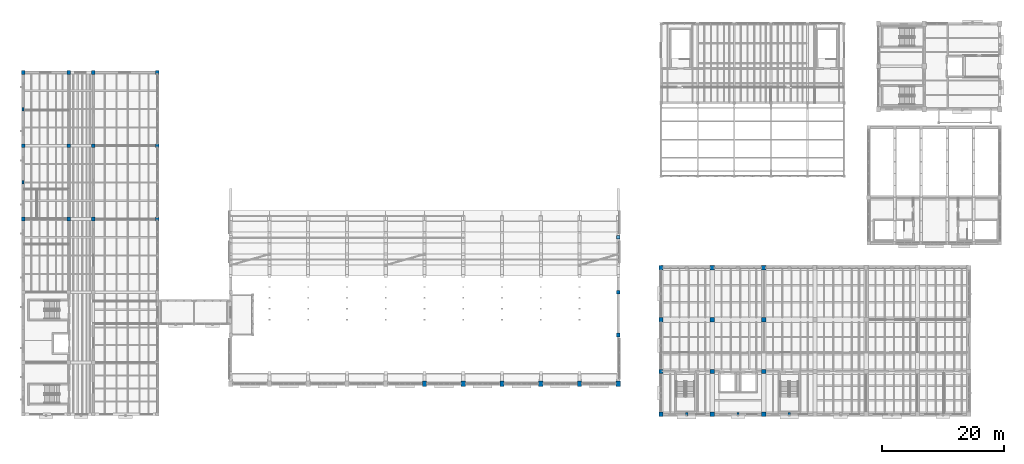
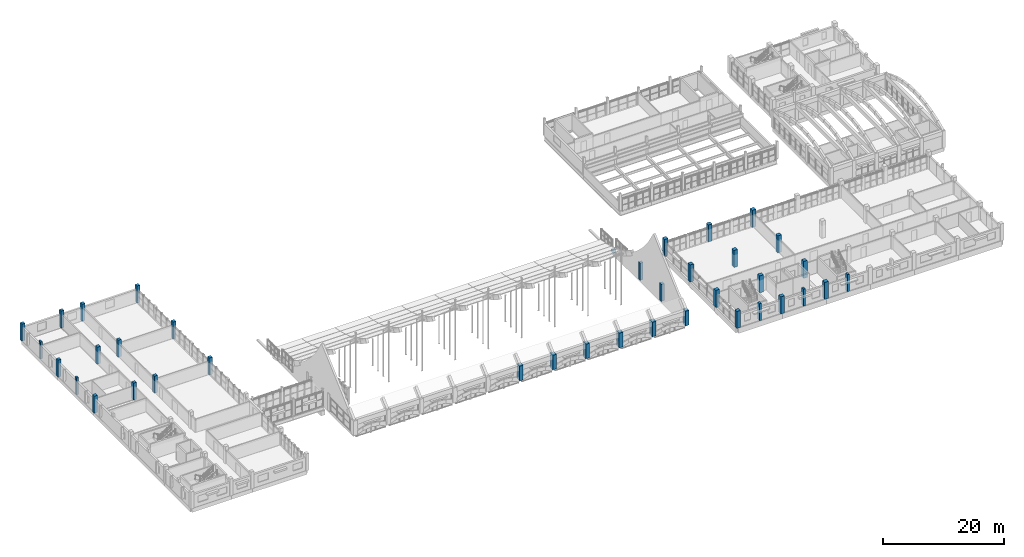
# One storey, part 4 of 77: 38 columns.
"""IFC4 building model written with IfcOpenShell, lengths in metres."""

import ifcopenshell
import ifcopenshell.guid

model = None  # the IFC model being written
_history = None  # IfcOwnerHistory: only IFC2X3 demands one
_inside = {}  # id of a spatial element -> (the spatial element, [elements in it])
_under = {}  # id of a project, library or spatial element -> (it, [spatial elements below it])
_declared = {}  # id of a project -> (the project, [libraries it declares])
_typed = {}  # id of a type object -> (the type object, [elements of that type])
_made_of = {}  # id of a material, layer set ... -> (it, [elements and type objects made of it])


def new_model(schema):
    """Start an empty IFC model of exactly this schema.

    Asked for "IFC4X3", IfcOpenShell would pick the latest addendum, in which some entities
    have other attributes; the version numbers below select the first issue.
    IFC2X3 requires an IfcOwnerHistory on every rooted entity: one is made here for all.
    """
    global model, _history
    if schema == "IFC4X3":
        model = ifcopenshell.file(schema_version=(4, 3, 0, 0))
    else:
        model = ifcopenshell.file(schema=schema)
    _inside.clear()
    _under.clear()
    _declared.clear()
    _typed.clear()
    _made_of.clear()
    _history = None
    if model.schema == "IFC2X3":
        org = make("IfcOrganization", Name="unknown")
        user = make(
            "IfcPersonAndOrganization",
            ThePerson=make("IfcPerson", FamilyName="unknown"),
            TheOrganization=org,
        )
        app = make(
            "IfcApplication",
            ApplicationDeveloper=org,
            Version="unknown",
            ApplicationFullName="unknown",
            ApplicationIdentifier="unknown",
        )
        _history = make(
            "IfcOwnerHistory",
            OwningUser=user,
            OwningApplication=app,
            ChangeAction="ADDED",
            CreationDate=0,
        )
    return model


def make(cls, **values):
    """One entity of the class cls with the attributes given. An attribute that is None is left unset."""
    return model.create_entity(
        cls, **{name: value for name, value in values.items() if value is not None}
    )


def rooted(cls, **values):
    """An entity with a GlobalId (a new one), such as an element, a storey or a relation."""
    return make(cls, GlobalId=ifcopenshell.guid.new(), OwnerHistory=_history, **values)


def si_unit(unit_type, name, prefix=None):
    """IfcSIUnit, for example si_unit("LENGTHUNIT", "METRE", prefix="MILLI")."""
    return make("IfcSIUnit", UnitType=unit_type, Prefix=prefix, Name=name)


def assignment(units):
    """IfcUnitAssignment: the units of a project."""
    return None if units is None else make("IfcUnitAssignment", Units=units)


def point(xyz):
    """IfcCartesianPoint."""
    return None if xyz is None else make("IfcCartesianPoint", Coordinates=xyz)


def direction(xyz):
    """IfcDirection."""
    return None if xyz is None else make("IfcDirection", DirectionRatios=xyz)


def frame(location, z_axis=None, x_axis=None):
    """IfcAxis2Placement3D, a coordinate frame: its origin and axes. An axis left out is left unset."""
    return make(
        "IfcAxis2Placement3D",
        Location=point(location),
        Axis=direction(z_axis),
        RefDirection=direction(x_axis),
    )


def frame_2d(location, x_axis=None):
    """IfcAxis2Placement2D, a coordinate frame in the plane: its origin and x axis."""
    return make(
        "IfcAxis2Placement2D", Location=point(location), RefDirection=direction(x_axis)
    )


def origin():
    """The frame at (0, 0, 0) with its axes left unset."""
    return frame((0.0, 0.0, 0.0))


def origin_2d():
    """The frame at (0, 0) in the plane with its x axis left unset."""
    return frame_2d((0.0, 0.0))


def place(relative_to, where):
    """IfcLocalPlacement: puts the frame where relative to a parent placement (None: the world)."""
    return make(
        "IfcLocalPlacement", PlacementRelTo=relative_to, RelativePlacement=where
    )


def context(
    kind, dimensions, precision=None, world=None, true_north=None, identifier=None
):
    """IfcGeometricRepresentationContext, for example the 3D "Model" context."""
    return make(
        "IfcGeometricRepresentationContext",
        ContextIdentifier=identifier,
        ContextType=kind,
        CoordinateSpaceDimension=dimensions,
        Precision=precision,
        WorldCoordinateSystem=world,
        TrueNorth=true_north,
    )


def subcontext(parent, identifier, kind, view, scale=None):
    """IfcGeometricRepresentationSubContext, for example "Body" below "Model"."""
    return make(
        "IfcGeometricRepresentationSubContext",
        ContextIdentifier=identifier,
        ContextType=kind,
        ParentContext=parent,
        TargetScale=scale,
        TargetView=view,
    )


def project(units=None, contexts=None):
    """IfcProject with its units and contexts."""
    return rooted(
        "IfcProject",
        Name="project",
        RepresentationContexts=contexts,
        UnitsInContext=assignment(units),
    )


def spatial(cls, under=None, at=None, **own):
    """A site, building, storey or space (cls), placed at a placement, below another one or the project."""
    s = rooted(cls, ObjectPlacement=at, **own)
    if under is not None:
        _under.setdefault(under.id(), (under, []))[1].append(s)
    return s


def profile(cls, at=None, kind="AREA", **sizes):
    """A parametric profile (cls). Its sizes go by their IFC names, for example OverallWidth=200.0."""
    return make(cls, ProfileType=kind, Position=at, **sizes)


def rectangle(**sizes):
    """IfcRectangleProfileDef."""
    return profile("IfcRectangleProfileDef", **sizes)


def extrude(swept, where, along, depth):
    """IfcExtrudedAreaSolid: the profile swept, set in the frame where, extruded along a direction by depth."""
    return make(
        "IfcExtrudedAreaSolid",
        SweptArea=swept,
        Position=where,
        ExtrudedDirection=direction(along),
        Depth=depth,
    )


def shape(context_of_items, identifier, shape_type, items):
    """IfcShapeRepresentation: the items that make up one representation, for example the "Body"."""
    return make(
        "IfcShapeRepresentation",
        ContextOfItems=context_of_items,
        RepresentationIdentifier=identifier,
        RepresentationType=shape_type,
        Items=items,
    )


def material(Name=None, Category=None):
    """IfcMaterial."""
    return make("IfcMaterial", Name=Name, Category=Category)


def material_profile(
    of_material, cross_section, Name=None, Category=None, Priority=None
):
    """IfcMaterialProfile: a cross section and its material."""
    return make(
        "IfcMaterialProfile",
        Name=Name,
        Material=of_material,
        Profile=cross_section,
        Priority=Priority,
        Category=Category,
    )


def profile_set(profiles, Name=None, composite=None):
    """IfcMaterialProfileSet."""
    return make(
        "IfcMaterialProfileSet",
        Name=Name,
        MaterialProfiles=profiles,
        CompositeProfile=composite,
    )


def made_of(thing, what):
    """Note that an element or type object is made of a material, layer set ...; save() writes the relation."""
    if what is not None:
        _made_of.setdefault(what.id(), (what, []))[1].append(thing)
    return thing


def type_object(cls, material=None, **own):
    """A type object (cls), such as IfcWallType, which elements share."""
    return made_of(rooted(cls, **own), material)


def element(
    cls,
    number,
    at=None,
    inside=None,
    cuts=None,
    type_object=None,
    material=None,
    context=None,
    identifier="Body",
    shape_type=None,
    held_by="IfcProductDefinitionShape",
    body=None,
    shapes=None,
    **own,
):
    """One element of the class cls, such as IfcWall. Its Tag is "e" and its number.

    at: its placement. inside: the storey or other place that contains it. cuts: it is an
    opening in that element (IfcRelVoidsElement). A single representation is given by context,
    identifier, shape_type and body (its items); several are given by shapes. held_by: the class
    of the entity that holds the representations. save() writes the other relations.
    """
    e = rooted(cls, Tag="e%d" % number, ObjectPlacement=at, **own)
    if body is not None:
        shapes = [shape(context, identifier, shape_type, body)]
    if shapes is not None:
        e.Representation = make(held_by, Representations=shapes)
    if inside is not None:
        _inside.setdefault(inside.id(), (inside, []))[1].append(e)
    if cuts is not None:
        rooted(
            "IfcRelVoidsElement", RelatingBuildingElement=cuts, RelatedOpeningElement=e
        )
    if type_object is not None:
        _typed.setdefault(type_object.id(), (type_object, []))[1].append(e)
    return made_of(e, material)


def aggregate(whole, parts):
    """IfcRelAggregates: a whole, such as a stair, and the parts it consists of."""
    return rooted("IfcRelAggregates", RelatingObject=whole, RelatedObjects=parts)


def save(model, path):
    """Write the relations noted so far, then the file.

    IfcRelAggregates (storeys below a building ...), IfcRelContainedInSpatialStructure (elements
    in a storey), IfcRelDefinesByType, IfcRelAssociatesMaterial and IfcRelDeclares: one each for
    every whole, place, type object, material and project.
    """
    for whole, parts in _under.values():
        aggregate(whole, parts)
    for where, things in _inside.values():
        rooted(
            "IfcRelContainedInSpatialStructure",
            RelatedElements=things,
            RelatingStructure=where,
        )
    for kind, things in _typed.values():
        rooted("IfcRelDefinesByType", RelatedObjects=things, RelatingType=kind)
    for what, things in _made_of.values():
        rooted("IfcRelAssociatesMaterial", RelatedObjects=things, RelatingMaterial=what)
    for by, libraries in _declared.values():
        rooted("IfcRelDeclares", RelatingContext=by, RelatedDefinitions=libraries)
    model.write(path)


model = new_model("IFC4")

# Units and contexts
model_context = context("Model", 3, precision=1e-05, world=origin(), true_north=direction((0.0, 1.0)))
body_context = subcontext(model_context, "Body", "Model", "MODEL_VIEW")
ifc_project = project(units=[si_unit("LENGTHUNIT", "METRE"), si_unit("AREAUNIT", "SQUARE_METRE"), si_unit("VOLUMEUNIT", "CUBIC_METRE"), si_unit("PLANEANGLEUNIT", "RADIAN"), si_unit("MASSUNIT", "GRAM", prefix="KILO")], contexts=[model_context])

# Site, building, storey
site_placement = place(None, origin())
site = spatial("IfcSite", under=ifc_project, at=site_placement, CompositionType="ELEMENT")
building_placement = place(site_placement, origin())
building = spatial("IfcBuilding", under=site, at=building_placement, Name="Trellovar Central Fire Station", CompositionType="ELEMENT")
storey_placement = place(building_placement, frame((0.0, 0.0, 5.85009765625)))
storey = spatial("IfcBuildingStorey", under=building, at=storey_placement, Name="L02", CompositionType="ELEMENT", Elevation=5.85009765625)

# Columns
ifc_material_1 = material(Name="Concrete C40/50", Category="concrete")
ifc_material_profile_1 = material_profile(ifc_material_1, rectangle(XDim=0.699951171875, YDim=0.89990234375, at=origin_2d()), Name="RC700X900")
ifc_profile_set_1 = profile_set([ifc_material_profile_1], Name="Concrete C40/50")
column_type_1 = type_object("IfcColumnType", Name="COL-C3", PredefinedType="COLUMN", material=ifc_profile_set_1)
for number, where, z_axis, x_axis, name in (
    (1, (66.75, 14.0, 0.0), (0.0, 0.0, 1.0), (1.0, 0.0, 0.0), "V1 south vault pier upper X=66.75"),
    (2, (73.10009765625, 14.0, 0.0), (0.0, 0.0, 1.0), (1.0, 0.0, 0.0), "V1 south vault pier upper X=73.10"),
    (3, (79.449951171875, 14.0, 0.0), (0.0, 0.0, 1.0), (1.0, 0.0, 0.0), "V1 south vault pier upper X=79.45"),
    (4, (85.800048828125, 14.0, 0.0), (0.0, 0.0, 1.0), (1.0, 0.0, 0.0), "V1 south vault pier upper X=85.80"),
    (5, (92.14990234375, 14.0, 0.0), (0.0, 0.0, 1.0), (1.0, 0.0, 0.0), "V1 south vault pier upper X=92.15"),
    (6, (98.5, 14.0, 0.0), (0.0, 0.0, 1.0), (1.0, 0.0, 0.0), "V1 south vault pier upper X=98.50"),
):
    element("IfcColumn", number, at=place(storey_placement, frame(where, z_axis=z_axis, x_axis=x_axis)), inside=storey, type_object=column_type_1, Name=name, PredefinedType="COLUMN", context=body_context, shape_type="SweptSolid", body=[
        extrude(rectangle(XDim=0.699951171875, YDim=0.89990234375, at=origin_2d()), origin(), (0.0, 0.0, 1.0), 2.949951171875),
    ])
ifc_material_2 = material(Name="Concrete C40/50", Category="concrete")
ifc_material_profile_2 = material_profile(ifc_material_2, rectangle(XDim=0.699951171875, YDim=0.699951171875, at=origin_2d()), Name="RC700X700")
ifc_profile_set_2 = profile_set([ifc_material_profile_2], Name="Concrete C40/50")
column_type_2 = type_object("IfcColumnType", Name="COL-C4", PredefinedType="COLUMN", material=ifc_profile_set_2)
for number, where, z_axis, x_axis, name in (
    (7, (105.5, 9.0, 0.0), (0.0, 0.0, 1.0), (1.0, 0.0, 0.0), "L02 column C-4"),
    (8, (105.5, 16.0, 0.0), (0.0, 0.0, 1.0), (1.0, 0.0, 0.0), "L02 column C-4"),
    (9, (105.5, 24.5, 0.0), (0.0, 0.0, 1.0), (1.0, 0.0, 0.0), "L02 column C-4"),
    (10, (105.5, 33.0, 0.0), (0.0, 0.0, 1.0), (1.0, 0.0, 0.0), "L02 column C-4"),
    (11, (113.89990234375, 9.0, 0.0), (0.0, 0.0, 1.0), (1.0, 0.0, 0.0), "L02 column C-4"),
    (12, (113.89990234375, 16.0, 0.0), (0.0, 0.0, 1.0), (1.0, 0.0, 0.0), "L02 column C-4"),
    (13, (113.89990234375, 24.5, 0.0), (0.0, 0.0, 1.0), (1.0, 0.0, 0.0), "L02 column C-4"),
    (14, (113.89990234375, 33.0, 0.0), (0.0, 0.0, 1.0), (1.0, 0.0, 0.0), "L02 column C-4"),
    (15, (122.300048828125, 9.0, 0.0), (0.0, 0.0, 1.0), (1.0, 0.0, 0.0), "L02 column C-4"),
    (16, (122.300048828125, 16.0, 0.0), (0.0, 0.0, 1.0), (1.0, 0.0, 0.0), "L02 column C-4"),
    (17, (122.300048828125, 24.5, 0.0), (0.0, 0.0, 1.0), (1.0, 0.0, 0.0), "L02 column C-4"),
    (18, (122.300048828125, 33.0, 0.0), (0.0, 0.0, 1.0), (1.0, 0.0, 0.0), "L02 column C-4"),
):
    element("IfcColumn", number, at=place(storey_placement, frame(where, z_axis=z_axis, x_axis=x_axis)), inside=storey, type_object=column_type_2, Name=name, PredefinedType="COLUMN", context=body_context, shape_type="SweptSolid", body=[
        extrude(rectangle(XDim=0.699951171875, YDim=0.699951171875, at=origin_2d()), origin(), (0.0, 0.0, 1.0), 3.449951171875),
    ])
ifc_material_3 = material(Name="Concrete C40/50", Category="concrete")
ifc_material_profile_3 = material_profile(ifc_material_3, rectangle(XDim=0.60009765625, YDim=0.60009765625, at=origin_2d()), Name="RC600X600")
ifc_profile_set_3 = profile_set([ifc_material_profile_3], Name="Concrete C40/50")
column_type_3 = type_object("IfcColumnType", Name="COL-C6", PredefinedType="COLUMN", material=ifc_profile_set_3)
for number, where, z_axis, x_axis, name in (
    (19, (1.0, 41.0, 0.0), (0.0, 0.0, 1.0), (1.0, 0.0, 0.0), "L02 column C-6"),
    (20, (1.0, 53.0, 0.0), (0.0, 0.0, 1.0), (1.0, 0.0, 0.0), "L02 column C-6"),
    (21, (1.0, 65.0, 0.0), (0.0, 0.0, 1.0), (1.0, 0.0, 0.0), "L02 column C-6"),
    (22, (8.5, 41.0, 0.0), (0.0, 0.0, 1.0), (1.0, 0.0, 0.0), "L02 column C-6"),
    (23, (8.5, 53.0, 0.0), (0.0, 0.0, 1.0), (1.0, 0.0, 0.0), "L02 column C-6"),
    (24, (8.5, 65.0, 0.0), (0.0, 0.0, 1.0), (1.0, 0.0, 0.0), "L02 column C-6"),
    (25, (12.5, 41.0, 0.0), (0.0, 0.0, 1.0), (1.0, 0.0, 0.0), "L02 column C-6"),
    (26, (12.5, 53.0, 0.0), (0.0, 0.0, 1.0), (1.0, 0.0, 0.0), "L02 column C-6"),
    (27, (12.5, 65.0, 0.0), (0.0, 0.0, 1.0), (1.0, 0.0, 0.0), "L02 column C-6"),
    (28, (23.0, 41.0, 0.0), (0.0, 0.0, 1.0), (1.0, 0.0, 0.0), "L02 column C-6"),
    (29, (23.0, 53.0, 0.0), (0.0, 0.0, 1.0), (1.0, 0.0, 0.0), "L02 column C-6"),
    (30, (23.0, 65.0, 0.0), (0.0, 0.0, 1.0), (1.0, 0.0, 0.0), "L02 column C-6"),
    (31, (98.5, 22.0, 0.0), (0.0, 0.0, 1.0), (1.0, 0.0, 0.0), "V1 gable pier L02 (98.5,22.0)"),
    (32, (98.5, 29.0, 0.0), (0.0, 0.0, 1.0), (1.0, 0.0, 0.0), "V1 gable pier L02 (98.5,29.0)"),
):
    element("IfcColumn", number, at=place(storey_placement, frame(where, z_axis=z_axis, x_axis=x_axis)), inside=storey, type_object=column_type_3, Name=name, PredefinedType="COLUMN", context=body_context, shape_type="SweptSolid", body=[
        extrude(rectangle(XDim=0.60009765625, YDim=0.60009765625, at=origin_2d()), origin(), (0.0, 0.0, 1.0), 3.449951171875),
    ])
column_placement = place(storey_placement, frame((98.5, 38.0, 0.0), z_axis=(0.0, 0.0, 1.0), x_axis=(1.0, 0.0, 0.0)))
element("IfcColumn", 33, at=column_placement, inside=storey, type_object=column_type_3, Name="V1 gable pier L02 (98.5,38.0)", PredefinedType="COLUMN", context=body_context, shape_type="SweptSolid", body=[
    extrude(rectangle(XDim=0.60009765625, YDim=0.60009765625, at=origin_2d()), origin(), (0.0, 0.0, 1.0), 0.562255859375),
])
ifc_material_4 = material(Name="Concrete C40/50", Category="concrete")
ifc_material_profile_4 = material_profile(ifc_material_4, rectangle(XDim=0.39990234375, YDim=0.60009765625, at=origin_2d()), Name="RC400X600")
ifc_profile_set_4 = profile_set([ifc_material_profile_4], Name="Concrete C40/50")
column_type_4 = type_object("IfcColumnType", Name="COL-PIL1", PredefinedType="PILASTER", material=ifc_profile_set_4)
for number, where, z_axis, x_axis, name in (
    (34, (109.699951171875, 9.0, 0.0), (0.0, 0.0, 1.0), (1.0, 0.0, 0.0), "V5 south boulevard sun-pier L02-1"),
    (35, (118.10009765625, 9.0, 0.0), (0.0, 0.0, 1.0), (1.0, 0.0, 0.0), "V5 south boulevard sun-pier L02-2"),
    (36, (126.5, 9.0, 0.0), (0.0, 0.0, 1.0), (1.0, 0.0, 0.0), "V5 south boulevard sun-pier L02-3"),
):
    element("IfcColumn", number, at=place(storey_placement, frame(where, z_axis=z_axis, x_axis=x_axis)), inside=storey, type_object=column_type_4, Name=name, PredefinedType="PILASTER", context=body_context, shape_type="SweptSolid", body=[
        extrude(rectangle(XDim=0.39990234375, YDim=0.60009765625, at=origin_2d()), origin(), (0.0, 0.0, 1.0), 3.449951171875),
    ])
ifc_material_5 = material(Name="Concrete C40/50", Category="concrete")
ifc_material_profile_5 = material_profile(ifc_material_5, rectangle(XDim=0.35009765625, YDim=0.550048828125, at=origin_2d()), Name="RC350X550")
ifc_profile_set_5 = profile_set([ifc_material_profile_5], Name="Concrete C40/50")
column_type_5 = type_object("IfcColumnType", Name="COL-PIL2", PredefinedType="PILASTER", material=ifc_profile_set_5)
for number, where, z_axis, x_axis, name in (
    (37, (1.0, 47.0, 0.0), (0.0, 0.0, 1.0), (1.0, 0.0, 0.0), "V4 west projecting sun-pier L02-4"),
    (38, (1.0, 59.0, 0.0), (0.0, 0.0, 1.0), (1.0, 0.0, 0.0), "V4 west projecting sun-pier L02-5"),
):
    element("IfcColumn", number, at=place(storey_placement, frame(where, z_axis=z_axis, x_axis=x_axis)), inside=storey, type_object=column_type_5, Name=name, PredefinedType="PILASTER", context=body_context, shape_type="SweptSolid", body=[
        extrude(rectangle(XDim=0.35009765625, YDim=0.550048828125, at=origin_2d()), origin(), (0.0, 0.0, 1.0), 3.449951171875),
    ])

save(model, "model.ifc")
